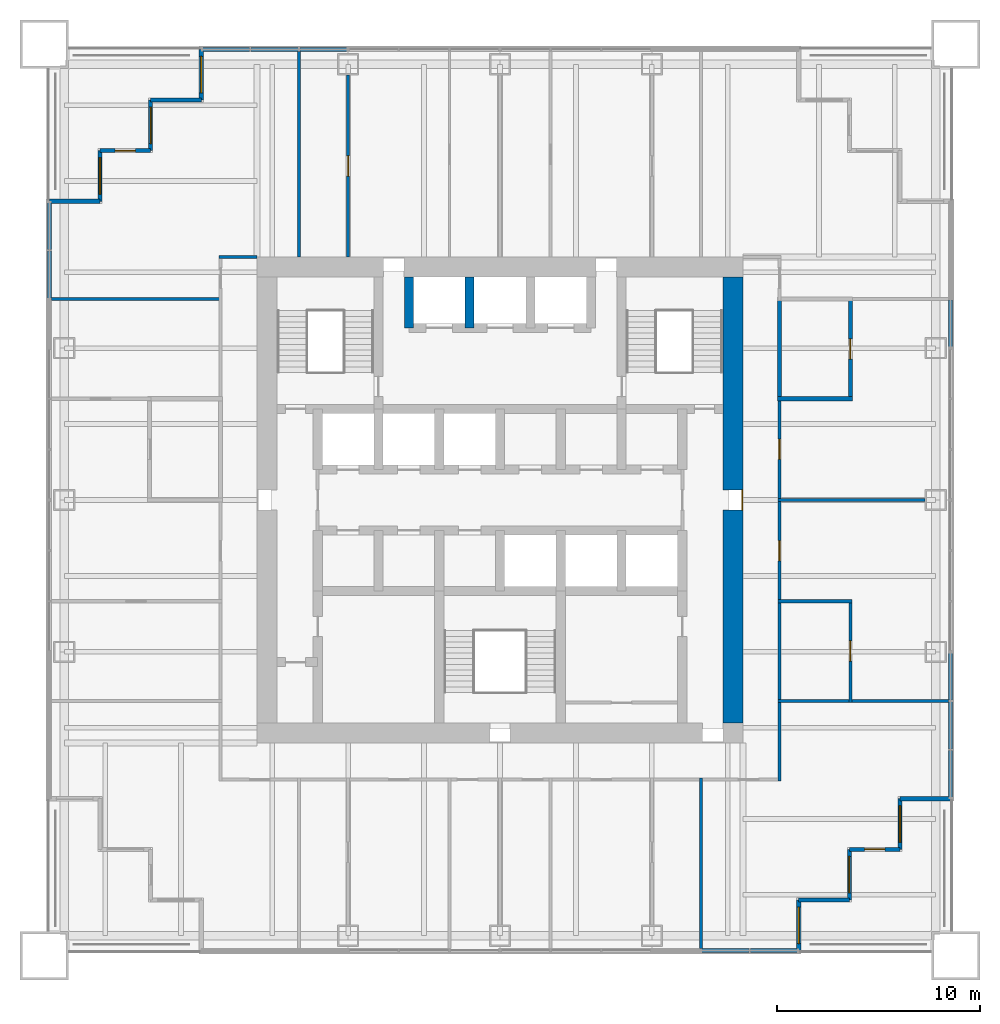
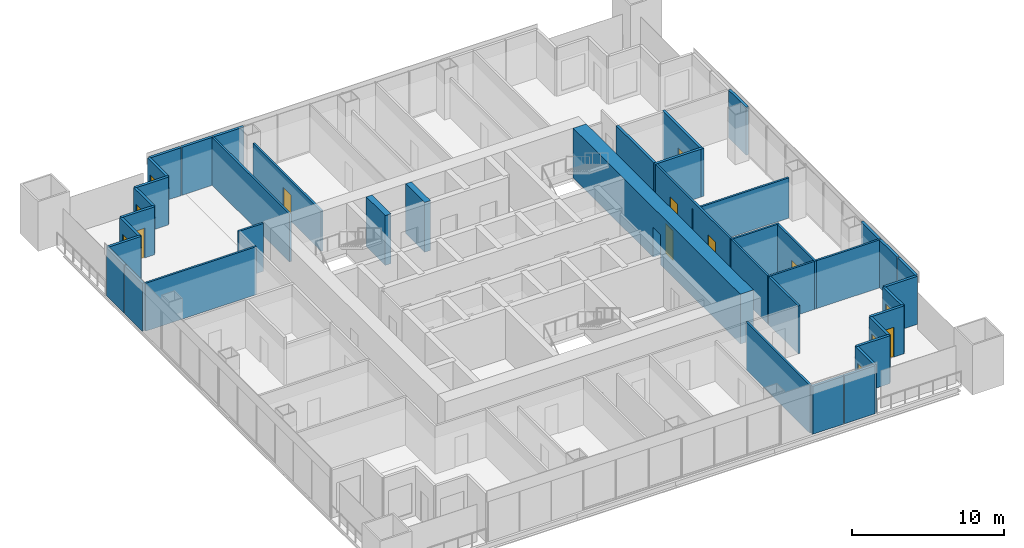
# One storey, part 10 of 13: 39 walls, 8 doors, 6 windows, 14 openings.
"""IFC4 building model written with IfcOpenShell, lengths in metres."""

from ifc_helpers import new_model, si_unit, direction, frame, frame_2d, origin, place, context, subcontext, project, spatial, rectangle, extrude, material, layer, layer_set, type_object, element, fill, save


model = new_model("IFC4")

# Units and contexts
model_context = context("Model", 3, precision=1e-05, world=origin(), true_north=direction((0.0, 1.0)))
body_context = subcontext(model_context, "Body", "Model", "MODEL_VIEW")
ifc_project = project(units=[si_unit("LENGTHUNIT", "METRE"), si_unit("AREAUNIT", "SQUARE_METRE"), si_unit("VOLUMEUNIT", "CUBIC_METRE"), si_unit("PLANEANGLEUNIT", "RADIAN"), si_unit("MASSUNIT", "GRAM", prefix="KILO")], contexts=[model_context])

# Site, building, storey
site_placement = place(None, origin())
site = spatial("IfcSite", under=ifc_project, at=site_placement, CompositionType="ELEMENT")
building_placement = place(site_placement, origin())
building = spatial("IfcBuilding", under=site, at=building_placement, Name="Tarangal Relay Tower", CompositionType="ELEMENT")
storey_placement = place(building_placement, frame((0.0, 0.0, 185.89990234375)))
storey = spatial("IfcBuildingStorey", under=building, at=storey_placement, Name="L38", CompositionType="ELEMENT", Elevation=185.89990234375)

# Walls
ifc_material_1 = material(Name="Two layers gypsum board each side on twin steel studs, mineral wool", Category="steel")
ifc_layer_1 = layer(ifc_material_1, 0.199951171875)
ifc_layer_set_1 = layer_set([ifc_layer_1], Name="Acoustic partition 200")
wall_type_1 = type_object("IfcWallType", Name="Acoustic partition 200", PredefinedType="PARTITIONING", material=ifc_layer_set_1)
wall_1_placement = place(storey_placement, frame((13.699951171875, 5.0, 0.0), z_axis=(0.0, 0.0, 1.0), x_axis=(1.0, 0.0, 0.0)))
element("IfcWall", 1, at=wall_1_placement, inside=storey, type_object=wall_type_1, Name="Partition PT2 L38", PredefinedType="PARTITIONING", context=body_context, shape_type="SweptSolid", body=[
    extrude(rectangle(XDim=3.699951171875, YDim=0.199951171875, at=frame_2d((1.85009765625, 0.0))), origin(), (0.0, 0.0, 1.0), 3.85009765625),
])
wall_2_placement = place(storey_placement, frame((13.800048828125, 4.89990234375, 0.0), z_axis=(0.0, 0.0, 1.0), x_axis=(0.0, 1.0, 0.0)))
element("IfcWall", 2, at=wall_2_placement, inside=storey, type_object=wall_type_1, Name="Partition PT2 L38", PredefinedType="PARTITIONING", context=body_context, shape_type="SweptSolid", body=[
    extrude(rectangle(XDim=5.1171875, YDim=0.199951171875, at=frame_2d((2.55859375, 0.0))), origin(), (0.0, 0.0, 1.0), 3.85009765625),
])

# Wall, opening, door
wall_3_placement = place(storey_placement, frame((17.300048828125, 4.89990234375, 0.0), z_axis=(0.0, 0.0, 1.0), x_axis=(0.0, 1.0, 0.0)))
wall_3 = element("IfcWall", 3, at=wall_3_placement, inside=storey, type_object=wall_type_1, Name="Partition PT2 L38", PredefinedType="PARTITIONING", context=body_context, shape_type="SweptSolid", body=[
    extrude(rectangle(XDim=5.1171875, YDim=0.199951171875, at=frame_2d((2.55859375, 0.0))), origin(), (0.0, 0.0, 1.0), 3.85009765625),
])
opening_1_placement = place(wall_3_placement, frame((2.05859375, 0.0, 0.0)))
opening_1 = element("IfcOpeningElement", 4, at=opening_1_placement, cuts=wall_3, Name="Opening D2", PredefinedType="OPENING", context=body_context, shape_type="SweptSolid", body=[
    extrude(rectangle(XDim=1.0, YDim=2.10009765625, at=frame_2d((0.5, 1.050048828125))), frame((0.0, 0.10986328125, 0.0), z_axis=(0.0, -1.0, 0.0), x_axis=(1.0, 0.0, 0.0)), (0.0, 0.0, 1.0), 0.219970703125),
])
ifc_material_2 = material(Name="Hardwood door", Category="wood")
door_type_1 = type_object("IfcDoorType", Name="Door 1000 x 2100", OperationType="SINGLE_SWING_LEFT", PredefinedType="DOOR", material=ifc_material_2)
door_1_placement = place(opening_1_placement, origin())
door_1 = element("IfcDoor", 5, at=door_1_placement, inside=storey, type_object=door_type_1, Name="Door D2 to meeting room L38-08", OperationType="SINGLE_SWING_LEFT", OverallHeight=2.10009765625, OverallWidth=1.0, PredefinedType="DOOR", context=body_context, shape_type="SweptSolid", body=[
    extrude(rectangle(XDim=1.0, YDim=2.10009765625, at=frame_2d((0.5, 1.050048828125))), frame((0.0, 0.02490234375, 0.0), z_axis=(0.0, -1.0, 0.0), x_axis=(1.0, 0.0, 0.0)), (0.0, 0.0, 1.0), 0.050048828125),
])
fill(opening_1, door_1)

# Walls
ifc_material_3 = material(Name="Concrete fc' 60 MPa", Category="concrete")
ifc_layer_2 = layer(ifc_material_3, 0.449951171875)
ifc_layer_set_2 = layer_set([ifc_layer_2], Name="Core inner wall 450")
wall_type_2 = type_object("IfcWallType", Name="Core inner wall 450", PredefinedType="SHEAR", material=ifc_layer_set_2)
for number, where, z_axis, x_axis, name in (
    (6, (-4.5, 8.5, 0.0), (0.0, 0.0, 1.0), (0.0, 1.0, 0.0), "Core wall XM45 L38"),
    (7, (-1.5, 8.5, 0.0), (0.0, 0.0, 1.0), (0.0, 1.0, 0.0), "Core wall XM15 L38"),
):
    element("IfcWall", number, at=place(storey_placement, frame(where, z_axis=z_axis, x_axis=x_axis)), inside=storey, type_object=wall_type_2, Name=name, PredefinedType="SHEAR", context=body_context, shape_type="SweptSolid", body=[
        extrude(rectangle(XDim=2.5, YDim=0.449951171875, at=frame_2d((1.25, 0.0))), origin(), (0.0, 0.0, 1.0), 4.0),
    ])

# Wall, opening, door
ifc_layer_3 = layer(ifc_material_3, 1.0)
ifc_layer_set_3 = layer_set([ifc_layer_3], Name="Core wall 1000")
wall_type_3 = type_object("IfcWallType", Name="Core wall 1000", PredefinedType="SHEAR", material=ifc_layer_set_3)
wall_4_placement = place(storey_placement, frame((11.5, 11.0, 0.0), z_axis=(0.0, 0.0, 1.0), x_axis=(0.0, -1.0, 0.0)))
wall_4 = element("IfcWall", 8, at=wall_4_placement, inside=storey, type_object=wall_type_3, Name="Core wall E L38", PredefinedType="SHEAR", context=body_context, shape_type="SweptSolid", body=[
    extrude(rectangle(XDim=22.0, YDim=1.0, at=frame_2d((11.0, 0.0))), origin(), (0.0, 0.0, 1.0), 4.0),
])
opening_2_placement = place(wall_4_placement, frame((10.5, 0.0, 0.0)))
opening_2 = element("IfcOpeningElement", 9, at=opening_2_placement, cuts=wall_4, Name="Opening FD3", PredefinedType="OPENING", context=body_context, shape_type="SweptSolid", body=[
    extrude(rectangle(XDim=1.0, YDim=2.39990234375, at=frame_2d((0.5, 1.199951171875))), frame((0.0, 0.510009765625, 0.0), z_axis=(0.0, -1.0, 0.0), x_axis=(1.0, 0.0, 0.0)), (0.0, 0.0, 1.0), 1.02001953125),
])
ifc_material_4 = material(Name="Steel door with hardwood frame", Category="steel")
door_type_2 = type_object("IfcDoorType", Name="Fire door 1000 x 2400 core entry", OperationType="SINGLE_SWING_RIGHT", PredefinedType="DOOR", material=ifc_material_4)
door_2_placement = place(opening_2_placement, origin())
door_2 = element("IfcDoor", 10, at=door_2_placement, inside=storey, type_object=door_type_2, Name="Core entry door east L38", OperationType="SINGLE_SWING_RIGHT", OverallHeight=2.39990234375, OverallWidth=1.0, PredefinedType="DOOR", context=body_context, shape_type="SweptSolid", body=[
    extrude(rectangle(XDim=1.0, YDim=2.39990234375, at=frame_2d((0.5, 1.199951171875))), frame((0.0, 0.48486328125, 0.0), z_axis=(0.0, -1.0, 0.0), x_axis=(1.0, 0.0, 0.0)), (0.0, 0.0, 1.0), 0.050048828125),
])
fill(opening_2, door_2)

# Wall
ifc_material_5 = material(Name="Black metal clad insulated wall", Category="steel")
ifc_layer_4 = layer(ifc_material_5, 0.199951171875)
ifc_layer_set_4 = layer_set([ifc_layer_4], Name="Corner wall metal clad 200")
wall_type_4 = type_object("IfcWallType", Name="Corner wall metal clad 200", PredefinedType="SOLIDWALL", material=ifc_layer_set_4)
wall_5_placement = place(storey_placement, frame((22.25, -14.75, 0.0), z_axis=(0.0, 0.0, 1.0), x_axis=(-1.0, 0.0, 0.0)))
element("IfcWall", 11, at=wall_5_placement, inside=storey, type_object=wall_type_4, Name="Facade wall E facade L38", PredefinedType="SOLIDWALL", context=body_context, shape_type="SweptSolid", body=[
    extrude(rectangle(XDim=2.5, YDim=0.199951171875, at=frame_2d((1.25, 0.0))), origin(), (0.0, 0.0, 1.0), 3.85009765625),
])

# Wall, opening, window
wall_6_placement = place(storey_placement, frame((19.75, -14.75, 0.0), z_axis=(0.0, 0.0, 1.0), x_axis=(0.0, -1.0, 0.0)))
wall_6 = element("IfcWall", 12, at=wall_6_placement, inside=storey, type_object=wall_type_4, Name="Facade wall E facade L38", PredefinedType="SOLIDWALL", context=body_context, shape_type="SweptSolid", body=[
    extrude(rectangle(XDim=2.5, YDim=0.199951171875, at=frame_2d((1.25, 0.0))), origin(), (0.0, 0.0, 1.0), 3.85009765625),
])
opening_3_placement = place(wall_6_placement, frame((0.35009765625, 0.0, 0.300048828125)))
opening_3 = element("IfcOpeningElement", 13, at=opening_3_placement, cuts=wall_6, Name="Opening WN2", PredefinedType="OPENING", context=body_context, shape_type="SweptSolid", body=[
    extrude(rectangle(XDim=1.800048828125, YDim=2.39990234375, at=frame_2d((0.89990234375, 1.199951171875))), frame((0.0, 0.10986328125, 0.0), z_axis=(0.0, -1.0, 0.0), x_axis=(1.0, 0.0, 0.0)), (0.0, 0.0, 1.0), 0.219970703125),
])
ifc_material_6 = material(Name="Dark tinted double glazing in black aluminium frame", Category="aluminium")
window_type = type_object("IfcWindowType", Name="Corner window 1800 x 2400", PartitioningType="SINGLE_PANEL", PredefinedType="WINDOW", material=ifc_material_6)
window_1_placement = place(opening_3_placement, origin())
window_1 = element("IfcWindow", 14, at=window_1_placement, inside=storey, type_object=window_type, Name="Corner window WN2 E facade L38", OverallHeight=2.39990234375, OverallWidth=1.800048828125, PartitioningType="SINGLE_PANEL", PredefinedType="WINDOW", context=body_context, shape_type="SweptSolid", body=[
    extrude(rectangle(XDim=1.800048828125, YDim=2.39990234375, at=frame_2d((0.89990234375, 1.199951171875))), frame((0.0, 0.030029296875, 0.0), z_axis=(0.0, -1.0, 0.0), x_axis=(1.0, 0.0, 0.0)), (0.0, 0.0, 1.0), 0.06005859375),
])
fill(opening_3, window_1)

# Wall, opening, door
wall_7_placement = place(storey_placement, frame((19.75, -17.25, 0.0), z_axis=(0.0, 0.0, 1.0), x_axis=(-1.0, 0.0, 0.0)))
wall_7 = element("IfcWall", 15, at=wall_7_placement, inside=storey, type_object=wall_type_4, Name="Facade wall E facade L38", PredefinedType="SOLIDWALL", context=body_context, shape_type="SweptSolid", body=[
    extrude(rectangle(XDim=2.5, YDim=0.199951171875, at=frame_2d((1.25, 0.0))), origin(), (0.0, 0.0, 1.0), 3.85009765625),
])
opening_4_placement = place(wall_7_placement, frame((0.75, 0.0, 0.0)))
opening_4 = element("IfcOpeningElement", 16, at=opening_4_placement, cuts=wall_7, Name="Opening TD1", PredefinedType="OPENING", context=body_context, shape_type="SweptSolid", body=[
    extrude(rectangle(XDim=1.0, YDim=2.39990234375, at=frame_2d((0.5, 1.199951171875))), frame((0.0, 0.10986328125, 0.0), z_axis=(0.0, -1.0, 0.0), x_axis=(1.0, 0.0, 0.0)), (0.0, 0.0, 1.0), 0.219970703125),
])
ifc_material_7 = material(Name="Aluminium glazed door", Category="aluminium")
door_type_3 = type_object("IfcDoorType", Name="Terrace door 1000 x 2400", OperationType="SINGLE_SWING_RIGHT", PredefinedType="DOOR", material=ifc_material_7)
door_3_placement = place(opening_4_placement, origin())
door_3 = element("IfcDoor", 17, at=door_3_placement, inside=storey, type_object=door_type_3, Name="Terrace door TD1 SE L38", OperationType="SINGLE_SWING_RIGHT", OverallHeight=2.39990234375, OverallWidth=1.0, PredefinedType="DOOR", context=body_context, shape_type="SweptSolid", body=[
    extrude(rectangle(XDim=1.0, YDim=2.39990234375, at=frame_2d((0.5, 1.199951171875))), frame((0.0, 0.02490234375, 0.0), z_axis=(0.0, -1.0, 0.0), x_axis=(1.0, 0.0, 0.0)), (0.0, 0.0, 1.0), 0.050048828125),
])
fill(opening_4, door_3)

# Wall, opening, window
wall_8_placement = place(storey_placement, frame((17.25, -17.25, 0.0), z_axis=(0.0, 0.0, 1.0), x_axis=(0.0, -1.0, 0.0)))
wall_8 = element("IfcWall", 18, at=wall_8_placement, inside=storey, type_object=wall_type_4, Name="Facade wall E facade L38", PredefinedType="SOLIDWALL", context=body_context, shape_type="SweptSolid", body=[
    extrude(rectangle(XDim=2.5, YDim=0.199951171875, at=frame_2d((1.25, 0.0))), origin(), (0.0, 0.0, 1.0), 3.85009765625),
])
opening_5_placement = place(wall_8_placement, frame((0.35009765625, 0.0, 0.300048828125)))
opening_5 = element("IfcOpeningElement", 19, at=opening_5_placement, cuts=wall_8, Name="Opening WN2", PredefinedType="OPENING", context=body_context, shape_type="SweptSolid", body=[
    extrude(rectangle(XDim=1.800048828125, YDim=2.39990234375, at=frame_2d((0.89990234375, 1.199951171875))), frame((0.0, 0.10986328125, 0.0), z_axis=(0.0, -1.0, 0.0), x_axis=(1.0, 0.0, 0.0)), (0.0, 0.0, 1.0), 0.219970703125),
])
window_2_placement = place(opening_5_placement, origin())
window_2 = element("IfcWindow", 20, at=window_2_placement, inside=storey, type_object=window_type, Name="Corner window WN2 E facade L38", OverallHeight=2.39990234375, OverallWidth=1.800048828125, PartitioningType="SINGLE_PANEL", PredefinedType="WINDOW", context=body_context, shape_type="SweptSolid", body=[
    extrude(rectangle(XDim=1.800048828125, YDim=2.39990234375, at=frame_2d((0.89990234375, 1.199951171875))), frame((0.0, 0.030029296875, 0.0), z_axis=(0.0, -1.0, 0.0), x_axis=(1.0, 0.0, 0.0)), (0.0, 0.0, 1.0), 0.06005859375),
])
fill(opening_5, window_2)

# Wall
wall_9_placement = place(storey_placement, frame((17.25, -19.75, 0.0), z_axis=(0.0, 0.0, 1.0), x_axis=(-1.0, 0.0, 0.0)))
element("IfcWall", 21, at=wall_9_placement, inside=storey, type_object=wall_type_4, Name="Facade wall E facade L38", PredefinedType="SOLIDWALL", context=body_context, shape_type="SweptSolid", body=[
    extrude(rectangle(XDim=2.5, YDim=0.199951171875, at=frame_2d((1.25, 0.0))), origin(), (0.0, 0.0, 1.0), 3.85009765625),
])

# Wall, opening, window
wall_10_placement = place(storey_placement, frame((14.75, -19.75, 0.0), z_axis=(0.0, 0.0, 1.0), x_axis=(0.0, -1.0, 0.0)))
wall_10 = element("IfcWall", 22, at=wall_10_placement, inside=storey, type_object=wall_type_4, Name="Facade wall E facade L38", PredefinedType="SOLIDWALL", context=body_context, shape_type="SweptSolid", body=[
    extrude(rectangle(XDim=2.5, YDim=0.199951171875, at=frame_2d((1.25, 0.0))), origin(), (0.0, 0.0, 1.0), 3.85009765625),
])
opening_6_placement = place(wall_10_placement, frame((0.35009765625, 0.0, 0.300048828125)))
opening_6 = element("IfcOpeningElement", 23, at=opening_6_placement, cuts=wall_10, Name="Opening WN2", PredefinedType="OPENING", context=body_context, shape_type="SweptSolid", body=[
    extrude(rectangle(XDim=1.800048828125, YDim=2.39990234375, at=frame_2d((0.89990234375, 1.199951171875))), frame((0.0, 0.10986328125, 0.0), z_axis=(0.0, -1.0, 0.0), x_axis=(1.0, 0.0, 0.0)), (0.0, 0.0, 1.0), 0.219970703125),
])
window_3_placement = place(opening_6_placement, origin())
window_3 = element("IfcWindow", 24, at=window_3_placement, inside=storey, type_object=window_type, Name="Corner window WN2 E facade L38", OverallHeight=2.39990234375, OverallWidth=1.800048828125, PartitioningType="SINGLE_PANEL", PredefinedType="WINDOW", context=body_context, shape_type="SweptSolid", body=[
    extrude(rectangle(XDim=1.800048828125, YDim=2.39990234375, at=frame_2d((0.89990234375, 1.199951171875))), frame((0.0, 0.030029296875, 0.0), z_axis=(0.0, -1.0, 0.0), x_axis=(1.0, 0.0, 0.0)), (0.0, 0.0, 1.0), 0.06005859375),
])
fill(opening_6, window_3)

# Wall
wall_11_placement = place(storey_placement, frame((-22.25, 14.75, 0.0), z_axis=(0.0, 0.0, 1.0), x_axis=(1.0, 0.0, 0.0)))
element("IfcWall", 25, at=wall_11_placement, inside=storey, type_object=wall_type_4, Name="Facade wall W facade L38", PredefinedType="SOLIDWALL", context=body_context, shape_type="SweptSolid", body=[
    extrude(rectangle(XDim=2.5, YDim=0.199951171875, at=frame_2d((1.25, 0.0))), origin(), (0.0, 0.0, 1.0), 3.85009765625),
])

# Wall, opening, window
wall_12_placement = place(storey_placement, frame((-19.75, 14.75, 0.0), z_axis=(0.0, 0.0, 1.0), x_axis=(0.0, 1.0, 0.0)))
wall_12 = element("IfcWall", 26, at=wall_12_placement, inside=storey, type_object=wall_type_4, Name="Facade wall W facade L38", PredefinedType="SOLIDWALL", context=body_context, shape_type="SweptSolid", body=[
    extrude(rectangle(XDim=2.5, YDim=0.199951171875, at=frame_2d((1.25, 0.0))), origin(), (0.0, 0.0, 1.0), 3.85009765625),
])
opening_7_placement = place(wall_12_placement, frame((0.35009765625, 0.0, 0.300048828125)))
opening_7 = element("IfcOpeningElement", 27, at=opening_7_placement, cuts=wall_12, Name="Opening WN2", PredefinedType="OPENING", context=body_context, shape_type="SweptSolid", body=[
    extrude(rectangle(XDim=1.800048828125, YDim=2.39990234375, at=frame_2d((0.89990234375, 1.199951171875))), frame((0.0, 0.10986328125, 0.0), z_axis=(0.0, -1.0, 0.0), x_axis=(1.0, 0.0, 0.0)), (0.0, 0.0, 1.0), 0.219970703125),
])
window_4_placement = place(opening_7_placement, origin())
window_4 = element("IfcWindow", 28, at=window_4_placement, inside=storey, type_object=window_type, Name="Corner window WN2 W facade L38", OverallHeight=2.39990234375, OverallWidth=1.800048828125, PartitioningType="SINGLE_PANEL", PredefinedType="WINDOW", context=body_context, shape_type="SweptSolid", body=[
    extrude(rectangle(XDim=1.800048828125, YDim=2.39990234375, at=frame_2d((0.89990234375, 1.199951171875))), frame((0.0, 0.030029296875, 0.0), z_axis=(0.0, -1.0, 0.0), x_axis=(1.0, 0.0, 0.0)), (0.0, 0.0, 1.0), 0.06005859375),
])
fill(opening_7, window_4)

# Wall, opening, door
wall_13_placement = place(storey_placement, frame((-19.75, 17.25, 0.0), z_axis=(0.0, 0.0, 1.0), x_axis=(1.0, 0.0, 0.0)))
wall_13 = element("IfcWall", 29, at=wall_13_placement, inside=storey, type_object=wall_type_4, Name="Facade wall W facade L38", PredefinedType="SOLIDWALL", context=body_context, shape_type="SweptSolid", body=[
    extrude(rectangle(XDim=2.5, YDim=0.199951171875, at=frame_2d((1.25, 0.0))), origin(), (0.0, 0.0, 1.0), 3.85009765625),
])
opening_8_placement = place(wall_13_placement, frame((0.75, 0.0, 0.0)))
opening_8 = element("IfcOpeningElement", 30, at=opening_8_placement, cuts=wall_13, Name="Opening TD1", PredefinedType="OPENING", context=body_context, shape_type="SweptSolid", body=[
    extrude(rectangle(XDim=1.0, YDim=2.39990234375, at=frame_2d((0.5, 1.199951171875))), frame((0.0, 0.10986328125, 0.0), z_axis=(0.0, -1.0, 0.0), x_axis=(1.0, 0.0, 0.0)), (0.0, 0.0, 1.0), 0.219970703125),
])
door_4_placement = place(opening_8_placement, origin())
door_4 = element("IfcDoor", 31, at=door_4_placement, inside=storey, type_object=door_type_3, Name="Terrace door TD1 NW L38", OperationType="SINGLE_SWING_RIGHT", OverallHeight=2.39990234375, OverallWidth=1.0, PredefinedType="DOOR", context=body_context, shape_type="SweptSolid", body=[
    extrude(rectangle(XDim=1.0, YDim=2.39990234375, at=frame_2d((0.5, 1.199951171875))), frame((0.0, 0.02490234375, 0.0), z_axis=(0.0, -1.0, 0.0), x_axis=(1.0, 0.0, 0.0)), (0.0, 0.0, 1.0), 0.050048828125),
])
fill(opening_8, door_4)

# Wall, opening, window
wall_14_placement = place(storey_placement, frame((-17.25, 17.25, 0.0), z_axis=(0.0, 0.0, 1.0), x_axis=(0.0, 1.0, 0.0)))
wall_14 = element("IfcWall", 32, at=wall_14_placement, inside=storey, type_object=wall_type_4, Name="Facade wall W facade L38", PredefinedType="SOLIDWALL", context=body_context, shape_type="SweptSolid", body=[
    extrude(rectangle(XDim=2.5, YDim=0.199951171875, at=frame_2d((1.25, 0.0))), origin(), (0.0, 0.0, 1.0), 3.85009765625),
])
opening_9_placement = place(wall_14_placement, frame((0.35009765625, 0.0, 0.300048828125)))
opening_9 = element("IfcOpeningElement", 33, at=opening_9_placement, cuts=wall_14, Name="Opening WN2", PredefinedType="OPENING", context=body_context, shape_type="SweptSolid", body=[
    extrude(rectangle(XDim=1.800048828125, YDim=2.39990234375, at=frame_2d((0.89990234375, 1.199951171875))), frame((0.0, 0.10986328125, 0.0), z_axis=(0.0, -1.0, 0.0), x_axis=(1.0, 0.0, 0.0)), (0.0, 0.0, 1.0), 0.219970703125),
])
window_5_placement = place(opening_9_placement, origin())
window_5 = element("IfcWindow", 34, at=window_5_placement, inside=storey, type_object=window_type, Name="Corner window WN2 W facade L38", OverallHeight=2.39990234375, OverallWidth=1.800048828125, PartitioningType="SINGLE_PANEL", PredefinedType="WINDOW", context=body_context, shape_type="SweptSolid", body=[
    extrude(rectangle(XDim=1.800048828125, YDim=2.39990234375, at=frame_2d((0.89990234375, 1.199951171875))), frame((0.0, 0.030029296875, 0.0), z_axis=(0.0, -1.0, 0.0), x_axis=(1.0, 0.0, 0.0)), (0.0, 0.0, 1.0), 0.06005859375),
])
fill(opening_9, window_5)

# Wall
wall_15_placement = place(storey_placement, frame((-17.25, 19.75, 0.0), z_axis=(0.0, 0.0, 1.0), x_axis=(1.0, 0.0, 0.0)))
element("IfcWall", 35, at=wall_15_placement, inside=storey, type_object=wall_type_4, Name="Facade wall W facade L38", PredefinedType="SOLIDWALL", context=body_context, shape_type="SweptSolid", body=[
    extrude(rectangle(XDim=2.5, YDim=0.199951171875, at=frame_2d((1.25, 0.0))), origin(), (0.0, 0.0, 1.0), 3.85009765625),
])

# Wall, opening, window
wall_16_placement = place(storey_placement, frame((-14.75, 19.75, 0.0), z_axis=(0.0, 0.0, 1.0), x_axis=(0.0, 1.0, 0.0)))
wall_16 = element("IfcWall", 36, at=wall_16_placement, inside=storey, type_object=wall_type_4, Name="Facade wall W facade L38", PredefinedType="SOLIDWALL", context=body_context, shape_type="SweptSolid", body=[
    extrude(rectangle(XDim=2.5, YDim=0.199951171875, at=frame_2d((1.25, 0.0))), origin(), (0.0, 0.0, 1.0), 3.85009765625),
])
opening_10_placement = place(wall_16_placement, frame((0.35009765625, 0.0, 0.300048828125)))
opening_10 = element("IfcOpeningElement", 37, at=opening_10_placement, cuts=wall_16, Name="Opening WN2", PredefinedType="OPENING", context=body_context, shape_type="SweptSolid", body=[
    extrude(rectangle(XDim=1.800048828125, YDim=2.39990234375, at=frame_2d((0.89990234375, 1.199951171875))), frame((0.0, 0.10986328125, 0.0), z_axis=(0.0, -1.0, 0.0), x_axis=(1.0, 0.0, 0.0)), (0.0, 0.0, 1.0), 0.219970703125),
])
window_6_placement = place(opening_10_placement, origin())
window_6 = element("IfcWindow", 38, at=window_6_placement, inside=storey, type_object=window_type, Name="Corner window WN2 W facade L38", OverallHeight=2.39990234375, OverallWidth=1.800048828125, PartitioningType="SINGLE_PANEL", PredefinedType="WINDOW", context=body_context, shape_type="SweptSolid", body=[
    extrude(rectangle(XDim=1.800048828125, YDim=2.39990234375, at=frame_2d((0.89990234375, 1.199951171875))), frame((0.0, 0.030029296875, 0.0), z_axis=(0.0, -1.0, 0.0), x_axis=(1.0, 0.0, 0.0)), (0.0, 0.0, 1.0), 0.06005859375),
])
fill(opening_10, window_6)

# Walls
ifc_layer_5 = layer(ifc_material_5, 0.199951171875)
ifc_layer_set_5 = layer_set([ifc_layer_5], Name="Facade infill wall metal clad 200")
wall_type_5 = type_object("IfcWallType", Name="Facade infill wall metal clad 200", PredefinedType="SOLIDWALL", material=ifc_layer_set_5)
wall_17_placement = place(storey_placement, frame((-14.68505859375, 22.25, 0.0), z_axis=(0.0, 0.0, 1.0), x_axis=(1.0, 0.0, 0.0)))
element("IfcWall", 39, at=wall_17_placement, inside=storey, type_object=wall_type_5, Name="Facade infill wall N facade L38 1.1", PredefinedType="SOLIDWALL", context=body_context, shape_type="SweptSolid", body=[
    extrude(rectangle(XDim=2.3193359375, YDim=0.199951171875, at=frame_2d((1.15966796875, 0.0))), origin(), (0.0, 0.0, 1.0), 3.85009765625),
])
wall_18_placement = place(storey_placement, frame((-12.30078125, 22.25, 0.0), z_axis=(0.0, 0.0, 1.0), x_axis=(1.0, 0.0, 0.0)))
element("IfcWall", 40, at=wall_18_placement, inside=storey, type_object=wall_type_5, Name="Facade infill wall N facade L38 2.1", PredefinedType="SOLIDWALL", context=body_context, shape_type="SweptSolid", body=[
    extrude(rectangle(XDim=2.3515625, YDim=0.199951171875, at=frame_2d((1.17578125, 0.0))), origin(), (0.0, 0.0, 1.0), 3.85009765625),
])
for number, where, z_axis, x_axis, name in (
    (41, (-9.88427734375, 22.25, 0.0), (0.0, 0.0, 1.0), (1.0, 0.0, 0.0), "Facade infill wall N facade L38 3.1"),
    (42, (22.25, 9.88427734375, 0.0), (0.0, 0.0, 1.0), (0.0, -1.0, 0.0), "Facade infill wall E facade L38 3.1"),
    (43, (22.25, -7.56494140625, 0.0), (0.0, 0.0, 1.0), (0.0, -1.0, 0.0), "Facade infill wall E facade L38 1.1"),
):
    element("IfcWall", number, at=place(storey_placement, frame(where, z_axis=z_axis, x_axis=x_axis)), inside=storey, type_object=wall_type_5, Name=name, PredefinedType="SOLIDWALL", context=body_context, shape_type="SweptSolid", body=[
        extrude(rectangle(XDim=2.3193359375, YDim=0.199951171875, at=frame_2d((1.15966796875, 0.0))), origin(), (0.0, 0.0, 1.0), 3.85009765625),
    ])
wall_19_placement = place(storey_placement, frame((22.25, -9.94921875, 0.0), z_axis=(0.0, 0.0, 1.0), x_axis=(0.0, -1.0, 0.0)))
element("IfcWall", 44, at=wall_19_placement, inside=storey, type_object=wall_type_5, Name="Facade infill wall E facade L38 2.1", PredefinedType="SOLIDWALL", context=body_context, shape_type="SweptSolid", body=[
    extrude(rectangle(XDim=2.3515625, YDim=0.199951171875, at=frame_2d((1.17578125, 0.0))), origin(), (0.0, 0.0, 1.0), 3.85009765625),
])
for number, where, z_axis, x_axis, name in (
    (45, (22.25, -12.36572265625, 0.0), (0.0, 0.0, 1.0), (0.0, -1.0, 0.0), "Facade infill wall E facade L38 3.1"),
    (46, (14.68505859375, -22.25, 0.0), (0.0, 0.0, 1.0), (-1.0, 0.0, 0.0), "Facade infill wall S facade L38 1.1"),
):
    element("IfcWall", number, at=place(storey_placement, frame(where, z_axis=z_axis, x_axis=x_axis)), inside=storey, type_object=wall_type_5, Name=name, PredefinedType="SOLIDWALL", context=body_context, shape_type="SweptSolid", body=[
        extrude(rectangle(XDim=2.3193359375, YDim=0.199951171875, at=frame_2d((1.15966796875, 0.0))), origin(), (0.0, 0.0, 1.0), 3.85009765625),
    ])
for number, where, z_axis, x_axis, name in (
    (47, (12.30078125, -22.25, 0.0), (0.0, 0.0, 1.0), (-1.0, 0.0, 0.0), "Facade infill wall S facade L38 2.1"),
    (48, (-22.25, 9.94921875, 0.0), (0.0, 0.0, 1.0), (0.0, 1.0, 0.0), "Facade infill wall W facade L38 2.1"),
):
    element("IfcWall", number, at=place(storey_placement, frame(where, z_axis=z_axis, x_axis=x_axis)), inside=storey, type_object=wall_type_5, Name=name, PredefinedType="SOLIDWALL", context=body_context, shape_type="SweptSolid", body=[
        extrude(rectangle(XDim=2.3515625, YDim=0.199951171875, at=frame_2d((1.17578125, 0.0))), origin(), (0.0, 0.0, 1.0), 3.85009765625),
    ])
wall_20_placement = place(storey_placement, frame((-22.25, 12.36572265625, 0.0), z_axis=(0.0, 0.0, 1.0), x_axis=(0.0, 1.0, 0.0)))
element("IfcWall", 49, at=wall_20_placement, inside=storey, type_object=wall_type_5, Name="Facade infill wall W facade L38 3.1", PredefinedType="SOLIDWALL", context=body_context, shape_type="SweptSolid", body=[
    extrude(rectangle(XDim=2.3193359375, YDim=0.199951171875, at=frame_2d((1.15966796875, 0.0))), origin(), (0.0, 0.0, 1.0), 3.85009765625),
])
ifc_material_8 = material(Name="Gypsum board on steel studs", Category="steel")
ifc_layer_6 = layer(ifc_material_8, 0.14990234375)
ifc_layer_set_6 = layer_set([ifc_layer_6], Name="Partition 150")
wall_type_6 = type_object("IfcWallType", Name="Partition 150", PredefinedType="PARTITIONING", material=ifc_layer_set_6)
wall_21_placement = place(storey_placement, frame((13.72509765625, -9.9169921875, 0.0), z_axis=(0.0, 0.0, 1.0), x_axis=(1.0, 0.0, 0.0)))
element("IfcWall", 50, at=wall_21_placement, inside=storey, type_object=wall_type_6, Name="Partition PT1 L38", PredefinedType="PARTITIONING", context=body_context, shape_type="SweptSolid", body=[
    extrude(rectangle(XDim=8.4248046875, YDim=0.14990234375, at=frame_2d((4.21240234375, 0.0))), origin(), (0.0, 0.0, 1.0), 3.85009765625),
])
wall_22_placement = place(storey_placement, frame((13.72509765625, -5.0, 0.0), z_axis=(0.0, 0.0, 1.0), x_axis=(1.0, 0.0, 0.0)))
element("IfcWall", 51, at=wall_22_placement, inside=storey, type_object=wall_type_6, Name="Partition PT1 L38", PredefinedType="PARTITIONING", context=body_context, shape_type="SweptSolid", body=[
    extrude(rectangle(XDim=3.64990234375, YDim=0.14990234375, at=frame_2d((1.824951171875, 0.0))), origin(), (0.0, 0.0, 1.0), 3.85009765625),
])
wall_23_placement = place(storey_placement, frame((13.72509765625, 0.0, 0.0), z_axis=(0.0, 0.0, 1.0), x_axis=(1.0, 0.0, 0.0)))
element("IfcWall", 52, at=wall_23_placement, inside=storey, type_object=wall_type_6, Name="Partition PT1 L38", PredefinedType="PARTITIONING", context=body_context, shape_type="SweptSolid", body=[
    extrude(rectangle(XDim=7.264892578125, YDim=0.14990234375, at=frame_2d((3.63232421875, 0.0))), origin(), (0.0, 0.0, 1.0), 3.238037109375),
])
wall_24_placement = place(storey_placement, frame((-22.14990234375, 9.9169921875, 0.0), z_axis=(0.0, 0.0, 1.0), x_axis=(1.0, 0.0, 0.0)))
element("IfcWall", 53, at=wall_24_placement, inside=storey, type_object=wall_type_6, Name="Partition PT1 L38", PredefinedType="PARTITIONING", context=body_context, shape_type="SweptSolid", body=[
    extrude(rectangle(XDim=8.4248046875, YDim=0.14990234375, at=frame_2d((4.21240234375, 0.0))), origin(), (0.0, 0.0, 1.0), 3.85009765625),
])
wall_25_placement = place(storey_placement, frame((-13.875, 12.0, 0.0), z_axis=(0.0, 0.0, 1.0), x_axis=(1.0, 0.0, 0.0)))
element("IfcWall", 54, at=wall_25_placement, inside=storey, type_object=wall_type_6, Name="Partition PT1 L38", PredefinedType="PARTITIONING", context=body_context, shape_type="SweptSolid", body=[
    extrude(rectangle(XDim=1.875, YDim=0.14990234375, at=frame_2d((0.9375, 0.0))), origin(), (0.0, 0.0, 1.0), 3.85009765625),
])
wall_26_placement = place(storey_placement, frame((-9.9169921875, 12.0, 0.0), z_axis=(0.0, 0.0, 1.0), x_axis=(0.0, 1.0, 0.0)))
element("IfcWall", 55, at=wall_26_placement, inside=storey, type_object=wall_type_6, Name="Partition PT1 L38", PredefinedType="PARTITIONING", context=body_context, shape_type="SweptSolid", body=[
    extrude(rectangle(XDim=10.14990234375, YDim=0.14990234375, at=frame_2d((5.074951171875, 0.0))), origin(), (0.0, 0.0, 1.0), 3.85009765625),
])

# Wall, opening, door
wall_27_placement = place(storey_placement, frame((-7.5, 12.0, 0.0), z_axis=(0.0, 0.0, 1.0), x_axis=(0.0, 1.0, 0.0)))
wall_27 = element("IfcWall", 56, at=wall_27_placement, inside=storey, type_object=wall_type_6, Name="Partition PT1 L38", PredefinedType="PARTITIONING", context=body_context, shape_type="SweptSolid", body=[
    extrude(rectangle(XDim=8.989990234375, YDim=0.14990234375, at=frame_2d((4.4951171875, 0.0))), origin(), (0.0, 0.0, 1.0), 3.238037109375),
])
opening_11_placement = place(wall_27_placement, frame((3.9951171875, 0.0, 0.0)))
opening_11 = element("IfcOpeningElement", 57, at=opening_11_placement, cuts=wall_27, Name="Opening D2", PredefinedType="OPENING", context=body_context, shape_type="SweptSolid", body=[
    extrude(rectangle(XDim=1.0, YDim=2.10009765625, at=frame_2d((0.5, 1.050048828125))), frame((0.0, 0.0849609375, 0.0), z_axis=(0.0, -1.0, 0.0), x_axis=(1.0, 0.0, 0.0)), (0.0, 0.0, 1.0), 0.169921875),
])
door_5_placement = place(opening_11_placement, origin())
door_5 = element("IfcDoor", 58, at=door_5_placement, inside=storey, type_object=door_type_1, Name="Door D2 to cellular office L38-02", OperationType="SINGLE_SWING_LEFT", OverallHeight=2.10009765625, OverallWidth=1.0, PredefinedType="DOOR", context=body_context, shape_type="SweptSolid", body=[
    extrude(rectangle(XDim=1.0, YDim=2.10009765625, at=frame_2d((0.5, 1.050048828125))), frame((0.0, 0.02490234375, 0.0), z_axis=(0.0, -1.0, 0.0), x_axis=(1.0, 0.0, 0.0)), (0.0, 0.0, 1.0), 0.050048828125),
])
fill(opening_11, door_5)

# Wall
wall_28_placement = place(storey_placement, frame((9.9169921875, -22.14990234375, 0.0), z_axis=(0.0, 0.0, 1.0), x_axis=(0.0, 1.0, 0.0)))
element("IfcWall", 59, at=wall_28_placement, inside=storey, type_object=wall_type_6, Name="Partition PT1 L38", PredefinedType="PARTITIONING", context=body_context, shape_type="SweptSolid", body=[
    extrude(rectangle(XDim=8.4248046875, YDim=0.14990234375, at=frame_2d((4.21240234375, 0.0))), origin(), (0.0, 0.0, 1.0), 3.85009765625),
])

# Wall, openings, doors
wall_29_placement = place(storey_placement, frame((13.800048828125, -13.875, 0.0), z_axis=(0.0, 0.0, 1.0), x_axis=(0.0, 1.0, 0.0)))
wall_29 = element("IfcWall", 60, at=wall_29_placement, inside=storey, type_object=wall_type_6, Name="Partition PT1 L38", PredefinedType="PARTITIONING", context=body_context, shape_type="SweptSolid", body=[
    extrude(rectangle(XDim=18.949951171875, YDim=0.14990234375, at=frame_2d((9.47509765625, 0.0))), origin(), (0.0, 0.0, 1.0), 3.85009765625),
])
opening_12_placement = place(wall_29_placement, frame((15.875, 0.0, 0.0)))
opening_12 = element("IfcOpeningElement", 61, at=opening_12_placement, cuts=wall_29, Name="Opening SD1", PredefinedType="OPENING", context=body_context, shape_type="SweptSolid", body=[
    extrude(rectangle(XDim=1.0, YDim=2.39990234375, at=frame_2d((0.5, 1.199951171875))), frame((0.0, 0.0849609375, 0.0), z_axis=(0.0, -1.0, 0.0), x_axis=(1.0, 0.0, 0.0)), (0.0, 0.0, 1.0), 0.169921875),
])
opening_13_placement = place(wall_29_placement, frame((10.875, 0.0, 0.0)))
opening_13 = element("IfcOpeningElement", 62, at=opening_13_placement, cuts=wall_29, Name="Opening SD1", PredefinedType="OPENING", context=body_context, shape_type="SweptSolid", body=[
    extrude(rectangle(XDim=1.0, YDim=2.39990234375, at=frame_2d((0.5, 1.199951171875))), frame((0.0, 0.0849609375, 0.0), z_axis=(0.0, -1.0, 0.0), x_axis=(1.0, 0.0, 0.0)), (0.0, 0.0, 1.0), 0.169921875),
])
door_type_4 = type_object("IfcDoorType", Name="Suite entrance door 1000 x 2400", OperationType="SINGLE_SWING_RIGHT", PredefinedType="DOOR", material=ifc_material_4)
door_6_placement = place(opening_12_placement, origin())
door_6 = element("IfcDoor", 63, at=door_6_placement, inside=storey, type_object=door_type_4, Name="Door SD1 to open plan office L38-09", OperationType="SINGLE_SWING_RIGHT", OverallHeight=2.39990234375, OverallWidth=1.0, PredefinedType="DOOR", context=body_context, shape_type="SweptSolid", body=[
    extrude(rectangle(XDim=1.0, YDim=2.39990234375, at=frame_2d((0.5, 1.199951171875))), frame((0.0, 0.02490234375, 0.0), z_axis=(0.0, -1.0, 0.0), x_axis=(1.0, 0.0, 0.0)), (0.0, 0.0, 1.0), 0.050048828125),
])
fill(opening_12, door_6)
door_7_placement = place(opening_13_placement, origin())
door_7 = element("IfcDoor", 64, at=door_7_placement, inside=storey, type_object=door_type_4, Name="Door SD1 to open plan office L38-10", OperationType="SINGLE_SWING_RIGHT", OverallHeight=2.39990234375, OverallWidth=1.0, PredefinedType="DOOR", context=body_context, shape_type="SweptSolid", body=[
    extrude(rectangle(XDim=1.0, YDim=2.39990234375, at=frame_2d((0.5, 1.199951171875))), frame((0.0, 0.02490234375, 0.0), z_axis=(0.0, -1.0, 0.0), x_axis=(1.0, 0.0, 0.0)), (0.0, 0.0, 1.0), 0.050048828125),
])
fill(opening_13, door_7)

# Wall, opening, door
wall_30_placement = place(storey_placement, frame((17.300048828125, -9.991943359375, 0.0), z_axis=(0.0, 0.0, 1.0), x_axis=(0.0, 1.0, 0.0)))
wall_30 = element("IfcWall", 65, at=wall_30_placement, inside=storey, type_object=wall_type_6, Name="Partition PT1 L38", PredefinedType="PARTITIONING", context=body_context, shape_type="SweptSolid", body=[
    extrude(rectangle(XDim=5.06689453125, YDim=0.14990234375, at=frame_2d((2.533447265625, 0.0))), origin(), (0.0, 0.0, 1.0), 3.85009765625),
])
opening_14_placement = place(wall_30_placement, frame((2.033447265625, 0.0, 0.0)))
opening_14 = element("IfcOpeningElement", 66, at=opening_14_placement, cuts=wall_30, Name="Opening D2", PredefinedType="OPENING", context=body_context, shape_type="SweptSolid", body=[
    extrude(rectangle(XDim=1.0, YDim=2.10009765625, at=frame_2d((0.5, 1.050048828125))), frame((0.0, 0.0849609375, 0.0), z_axis=(0.0, -1.0, 0.0), x_axis=(1.0, 0.0, 0.0)), (0.0, 0.0, 1.0), 0.169921875),
])
door_8_placement = place(opening_14_placement, origin())
door_8 = element("IfcDoor", 67, at=door_8_placement, inside=storey, type_object=door_type_1, Name="Door D2 to tea pantry L38-11", OperationType="SINGLE_SWING_LEFT", OverallHeight=2.10009765625, OverallWidth=1.0, PredefinedType="DOOR", context=body_context, shape_type="SweptSolid", body=[
    extrude(rectangle(XDim=1.0, YDim=2.10009765625, at=frame_2d((0.5, 1.050048828125))), frame((0.0, 0.02490234375, 0.0), z_axis=(0.0, -1.0, 0.0), x_axis=(1.0, 0.0, 0.0)), (0.0, 0.0, 1.0), 0.050048828125),
])
fill(opening_14, door_8)

save(model, "model.ifc")
